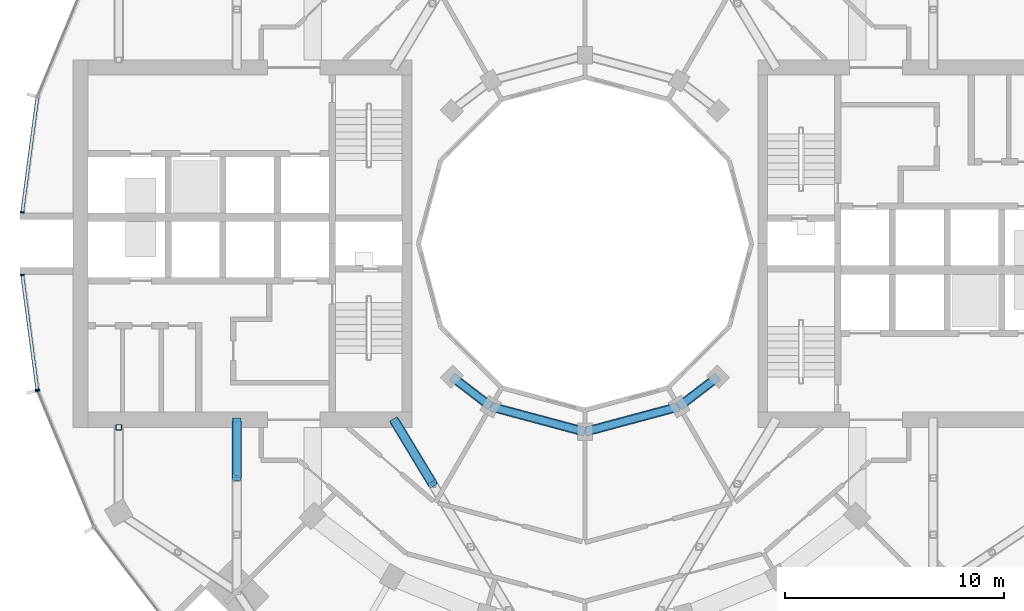
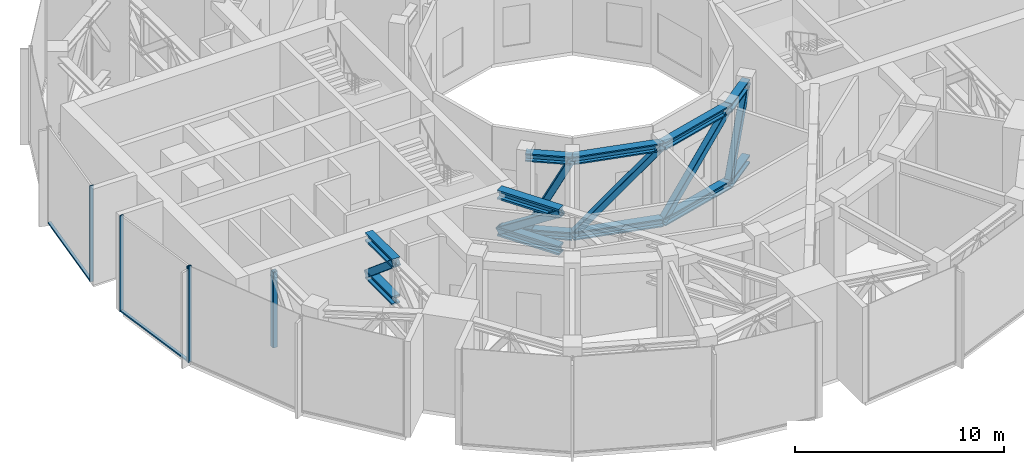
# One storey, part 4 of 18: 25 members, 3 elements without a shape of their own.
"""IFC4 building model written with IfcOpenShell, lengths in metres."""

from ifc_helpers import new_model, si_unit, direction, frame, origin, origin_2d, place, context, subcontext, project, spatial, rectangle, hollow_rectangle, i_section, extrude, material, layer, layer_set, material_profile, profile_set, type_object, element, aggregate, save


model = new_model("IFC4")

# Units and contexts
model_context = context("Model", 3, precision=1e-05, world=origin(), true_north=direction((0.0, 1.0)))
body_context = subcontext(model_context, "Body", "Model", "MODEL_VIEW")
ifc_project = project(units=[si_unit("LENGTHUNIT", "METRE"), si_unit("AREAUNIT", "SQUARE_METRE"), si_unit("VOLUMEUNIT", "CUBIC_METRE"), si_unit("PLANEANGLEUNIT", "RADIAN"), si_unit("MASSUNIT", "GRAM", prefix="KILO")], contexts=[model_context])

# Site, building, storey
site_placement = place(None, origin())
site = spatial("IfcSite", under=ifc_project, at=site_placement, CompositionType="ELEMENT")
building_placement = place(site_placement, origin())
building = spatial("IfcBuilding", under=site, at=building_placement, Name="Torre Brocal", CompositionType="ELEMENT")
storey_placement = place(building_placement, frame((0.0, 0.0, 109.0)))
storey = spatial("IfcBuildingStorey", under=building, at=storey_placement, Name="L25", CompositionType="ELEMENT", Elevation=109.0)

# Member
ifc_material_1 = material(Name="Steel A500 Grade C", Category="steel")
ifc_material_profile_1 = material_profile(ifc_material_1, hollow_rectangle(XDim=0.25390625, YDim=0.25390625, WallThickness=0.01171875, InnerFilletRadius=0.01171875, OuterFilletRadius=0.023681640625, at=origin_2d()), Name="HSS10X10X1/2")
ifc_profile_set_1 = profile_set([ifc_material_profile_1], Name="Steel A500 Grade C")
member_type_1 = type_object("IfcMemberType", Name="BELT 1 POST HSS10X10X1/2", PredefinedType="POST", material=ifc_profile_set_1)
member_1_placement = place(storey_placement, frame((58.69580078125, 66.60009765625, 0.63232421875), z_axis=(0.0, 0.0, 1.0), x_axis=(1.0, 0.0, 0.0)))
element("IfcMember", 1, at=member_1_placement, inside=storey, type_object=member_type_1, Name="Member BT1-P10", PredefinedType="POST", context=body_context, shape_type="SweptSolid", body=[
    extrude(hollow_rectangle(XDim=0.25390625, YDim=0.25390625, WallThickness=0.01171875, InnerFilletRadius=0.01171875, OuterFilletRadius=0.023681640625, at=origin_2d()), origin(), (0.0, 0.0, 1.0), 4.415283203125),
])

# Curtain wall, member
ifc_material_2 = material(Name="Aluminium and glass", Category="aluminium")
ifc_layer_1 = layer(ifc_material_2, 0.199951171875)
ifc_layer_set_1 = layer_set([ifc_layer_1], Name="Aluminium and glass")
curtain_wall_type_1 = type_object("IfcCurtainWallType", Name="CW-1 CURTAIN WALL 5600 HIGH", PredefinedType="NOTDEFINED", material=ifc_layer_set_1)
curtain_wall_1_placement = place(storey_placement, origin())
curtain_wall_1 = element("IfcCurtainWall", 2, at=curtain_wall_1_placement, inside=storey, type_object=curtain_wall_type_1, Name="CW-1 RUN 14", PredefinedType="NOTDEFINED")
ifc_material_3 = material(Name="Aluminium, dark anodised", Category="aluminium")
ifc_material_profile_2 = material_profile(ifc_material_3, rectangle(XDim=0.199951171875, YDim=0.06005859375, at=origin_2d()), Name="CW-1 MULLION 60X200")
ifc_profile_set_2 = profile_set([ifc_material_profile_2], Name="Aluminium, dark anodised")
member_type_2 = type_object("IfcMemberType", Name="CW-1 MULLION 60X200", PredefinedType="MULLION", material=ifc_profile_set_2)
member_2_placement = place(storey_placement, frame((54.994873046875, 68.26904296875, 0.0), z_axis=(0.0, 0.0, 1.0), x_axis=(0.923879532525, 0.382683432333, 0.0)))
member_2 = element("IfcMember", 3, at=member_2_placement, type_object=member_type_2, Name="CW1-2 mullion 1", PredefinedType="MULLION", context=body_context, shape_type="SweptSolid", body=[
    extrude(rectangle(XDim=0.199951171875, YDim=0.06005859375, at=origin_2d()), origin(), (0.0, 0.0, 1.0), 5.60009765625),
])
aggregate(curtain_wall_1, [member_2])

ifc_material_4 = material(Name="Aluminium and glass", Category="aluminium")
ifc_layer_2 = layer(ifc_material_4, 0.199951171875)
ifc_layer_set_2 = layer_set([ifc_layer_2], Name="Aluminium and glass")
curtain_wall_type_2 = type_object("IfcCurtainWallType", Name="CW-1B CURTAIN WALL 5600 HIGH", PredefinedType="NOTDEFINED", material=ifc_layer_set_2)
curtain_wall_2_placement = place(storey_placement, origin())
curtain_wall_2 = element("IfcCurtainWall", 4, at=curtain_wall_2_placement, inside=storey, type_object=curtain_wall_type_2, Name="CW-1B RUN 12", PredefinedType="NOTDEFINED")
ifc_material_5 = material(Name="Aluminium, dark anodised", Category="aluminium")
ifc_material_profile_3 = material_profile(ifc_material_5, rectangle(XDim=0.199951171875, YDim=0.06005859375, at=origin_2d()), Name="CW-1B MULLION 60X200")
ifc_profile_set_3 = profile_set([ifc_material_profile_3], Name="Aluminium, dark anodised")
member_type_3 = type_object("IfcMemberType", Name="CW-1B MULLION 60X200", PredefinedType="MULLION", material=ifc_profile_set_3)
member_3_placement = place(storey_placement, frame((54.2890625, 76.4296875, 0.0), z_axis=(0.0, 0.0, 1.0), x_axis=(0.991444861374, -0.13052619222, 0.0)))
member_3 = element("IfcMember", 5, at=member_3_placement, type_object=member_type_3, Name="CW1B-2 mullion 2", PredefinedType="MULLION", context=body_context, shape_type="SweptSolid", body=[
    extrude(rectangle(XDim=0.199951171875, YDim=0.06005859375, at=origin_2d()), origin(), (0.0, 0.0, 1.0), 5.60009765625),
])

# Curtain wall, members
curtain_wall_3_placement = place(storey_placement, origin())
curtain_wall_3 = element("IfcCurtainWall", 6, at=curtain_wall_3_placement, inside=storey, type_object=curtain_wall_type_2, Name="CW-1B RUN 13", PredefinedType="NOTDEFINED")
member_4_placement = place(storey_placement, frame((54.2890625, 73.5703125, 0.0), z_axis=(0.0, 0.0, 1.0), x_axis=(0.991444861374, 0.13052619222, 0.0)))
member_4 = element("IfcMember", 7, at=member_4_placement, type_object=member_type_3, Name="CW1B-2 mullion 1", PredefinedType="MULLION", context=body_context, shape_type="SweptSolid", body=[
    extrude(rectangle(XDim=0.199951171875, YDim=0.06005859375, at=origin_2d()), origin(), (0.0, 0.0, 1.0), 5.60009765625),
])
member_5_placement = place(storey_placement, frame((54.9794921875, 68.32666015625, 0.0), z_axis=(0.0, 0.0, 1.0), x_axis=(0.991444861374, 0.13052619222, 0.0)))
member_5 = element("IfcMember", 8, at=member_5_placement, type_object=member_type_3, Name="CW1B-2 mullion 2", PredefinedType="MULLION", context=body_context, shape_type="SweptSolid", body=[
    extrude(rectangle(XDim=0.199951171875, YDim=0.06005859375, at=origin_2d()), origin(), (0.0, 0.0, 1.0), 5.60009765625),
])

# Member
ifc_material_6 = material(Name="Aluminium, dark anodised", Category="aluminium")
ifc_material_profile_4 = material_profile(ifc_material_6, rectangle(XDim=0.159912109375, YDim=0.080078125, at=origin_2d()), Name="CW-1B TRANSOM 160X80")
ifc_profile_set_4 = profile_set([ifc_material_profile_4], Name="Aluminium, dark anodised")
member_type_4 = type_object("IfcMemberType", Name="CW-1B TRANSOM 160X80", PredefinedType="USERDEFINED", material=ifc_profile_set_4)
member_6_placement = place(storey_placement, frame((54.9755859375, 81.643798828125, 0.0400390625), z_axis=(-0.130542677827, -0.991442690863, 0.0), x_axis=(0.991442690863, -0.130542677827, 0.0)))
member_6 = element("IfcMember", 9, at=member_6_placement, type_object=member_type_4, Name="CW1B-2 transom 1.1", ObjectType="TRANSOM", PredefinedType="USERDEFINED", context=body_context, shape_type="SweptSolid", body=[
    extrude(rectangle(XDim=0.159912109375, YDim=0.080078125, at=origin_2d()), origin(), (0.0, 0.0, 1.0), 5.22900390625),
])

aggregate(curtain_wall_2, [member_3, member_6])

member_7_placement = place(storey_placement, frame((54.29296875, 73.54052734375, 0.0400390625), z_axis=(0.130542677827, -0.991442690863, 0.0), x_axis=(0.991442690863, 0.130542677827, 0.0)))
member_7 = element("IfcMember", 10, at=member_7_placement, type_object=member_type_4, Name="CW1B-2 transom 1.1", ObjectType="TRANSOM", PredefinedType="USERDEFINED", context=body_context, shape_type="SweptSolid", body=[
    extrude(rectangle(XDim=0.159912109375, YDim=0.080078125, at=origin_2d()), origin(), (0.0, 0.0, 1.0), 5.22900390625),
])

aggregate(curtain_wall_3, [member_4, member_5, member_7])

# Members
ifc_material_7 = material(Name="Steel A992", Category="steel")
ifc_material_profile_5 = material_profile(ifc_material_7, i_section(OverallWidth=0.421630859375, OverallDepth=0.46484375, WebThickness=0.044921875, FlangeThickness=0.072509765625, at=origin_2d()), Name="W14X398")
ifc_profile_set_5 = profile_set([ifc_material_profile_5], Name="Steel A992")
member_type_5 = type_object("IfcMemberType", Name="TRUSS BOTTOM CHORD W14X398", PredefinedType="CHORD", material=ifc_profile_set_5)
member_8_placement = place(storey_placement, frame((73.9189453125, 68.9189453125, 0.63232421875), z_axis=(0.793334976885, -0.608785359918, 0.0), x_axis=(0.608785359918, 0.793334976885, 0.0)))
element("IfcMember", 11, at=member_8_placement, inside=storey, type_object=member_type_5, Name="Member BT1-C82", PredefinedType="CHORD", context=body_context, shape_type="SweptSolid", body=[
    extrude(i_section(OverallWidth=0.421630859375, OverallDepth=0.46484375, WebThickness=0.044921875, FlangeThickness=0.072509765625, at=origin_2d()), origin(), (0.0, 0.0, 1.0), 2.244873046875),
])
for number, where, z_axis, x_axis, name in (
    (12, (75.699951171875, 67.55224609375, 0.63232421875), (0.965917450527, -0.25885030185, 0.0), (0.25885030185, 0.965917450527, 0.0), "Member BT1-C84"),
    (13, (80.0, 66.39990234375, 0.63232421875), (0.965917450527, 0.25885030185, 0.0), (-0.25885030185, 0.965917450527, 0.0), "Member BT1-C86"),
):
    element("IfcMember", number, at=place(storey_placement, frame(where, z_axis=z_axis, x_axis=x_axis)), inside=storey, type_object=member_type_5, Name=name, PredefinedType="CHORD", context=body_context, shape_type="SweptSolid", body=[
        extrude(i_section(OverallWidth=0.421630859375, OverallDepth=0.46484375, WebThickness=0.044921875, FlangeThickness=0.072509765625, at=origin_2d()), origin(), (0.0, 0.0, 1.0), 4.45166015625),
    ])
member_9_placement = place(storey_placement, frame((84.300048828125, 67.55224609375, 0.63232421875), z_axis=(0.793334976885, 0.608785359918, 0.0), x_axis=(-0.608785359918, 0.793334976885, 0.0)))
element("IfcMember", 14, at=member_9_placement, inside=storey, type_object=member_type_5, Name="Member BT1-C88", PredefinedType="CHORD", context=body_context, shape_type="SweptSolid", body=[
    extrude(i_section(OverallWidth=0.421630859375, OverallDepth=0.46484375, WebThickness=0.044921875, FlangeThickness=0.072509765625, at=origin_2d()), origin(), (0.0, 0.0, 1.0), 2.244873046875),
])
ifc_material_8 = material(Name="Steel A992", Category="steel")
ifc_material_profile_6 = material_profile(ifc_material_8, i_section(OverallWidth=0.431884765625, OverallDepth=0.497802734375, WebThickness=0.0556640625, FlangeThickness=0.0888671875, at=origin_2d()), Name="W14X500")
ifc_profile_set_6 = profile_set([ifc_material_profile_6], Name="Steel A992")
member_type_6 = type_object("IfcMemberType", Name="TRUSS BOTTOM CHORD W14X500", PredefinedType="CHORD", material=ifc_profile_set_6)
member_10_placement = place(storey_placement, frame((64.090087890625, 66.89990234375, 2.848876953125), z_axis=(0.0, -1.0, 0.0), x_axis=(1.0, 0.0, 0.0)))
element("IfcMember", 15, at=member_10_placement, inside=storey, type_object=member_type_6, Name="Member OT1-C34", PredefinedType="CHORD", context=body_context, shape_type="SweptSolid", body=[
    extrude(i_section(OverallWidth=0.431884765625, OverallDepth=0.497802734375, WebThickness=0.0556640625, FlangeThickness=0.0888671875, at=origin_2d()), origin(), (0.0, 0.0, 1.0), 2.603271484375),
])
ifc_material_9 = material(Name="Steel A992", Category="steel")
ifc_material_profile_7 = material_profile(ifc_material_9, i_section(OverallWidth=0.44189453125, OverallDepth=0.531005859375, WebThickness=0.06591796875, FlangeThickness=0.105712890625, at=origin_2d()), Name="W14X605")
ifc_profile_set_7 = profile_set([ifc_material_profile_7], Name="Steel A992")
member_type_7 = type_object("IfcMemberType", Name="TRUSS BOTTOM CHORD W14X605", PredefinedType="CHORD", material=ifc_profile_set_7)
member_11_placement = place(storey_placement, frame((71.300048828125, 66.89990234375, 2.865478515625), z_axis=(0.517128928912, -0.855907513042, 0.0), x_axis=(0.855907513042, 0.517128928912, 0.0)))
element("IfcMember", 16, at=member_11_placement, inside=storey, type_object=member_type_7, Name="Member OT1-C50", PredefinedType="CHORD", context=body_context, shape_type="SweptSolid", body=[
    extrude(i_section(OverallWidth=0.44189453125, OverallDepth=0.531005859375, WebThickness=0.06591796875, FlangeThickness=0.105712890625, at=origin_2d()), origin(), (0.0, 0.0, 1.0), 3.36474609375),
])
ifc_material_10 = material(Name="Steel A500 Grade C", Category="steel")
ifc_material_profile_8 = material_profile(ifc_material_10, hollow_rectangle(XDim=0.355712890625, YDim=0.355712890625, WallThickness=0.014892578125, InnerFilletRadius=0.014892578125, OuterFilletRadius=0.029541015625, at=origin_2d()), Name="HSS14X14X5/8")
ifc_profile_set_8 = profile_set([ifc_material_profile_8], Name="Steel A500 Grade C")
member_type_8 = type_object("IfcMemberType", Name="TRUSS DIAGONAL HSS14X14X5/8", PredefinedType="BRACE", material=ifc_profile_set_8)
member_12_placement = place(storey_placement, frame((73.9189453125, 68.9189453125, 0.63232421875), z_axis=(0.359563901376, -0.275920318012, 0.891393167427), x_axis=(0.608785359918, 0.793334976885, 0.0)))
element("IfcMember", 17, at=member_12_placement, inside=storey, type_object=member_type_8, Name="Member BT1-D41", PredefinedType="BRACE", context=body_context, shape_type="SweptSolid", body=[
    extrude(hollow_rectangle(XDim=0.355712890625, YDim=0.355712890625, WallThickness=0.014892578125, InnerFilletRadius=0.014892578125, OuterFilletRadius=0.029541015625, at=origin_2d()), origin(), (0.0, 0.0, 1.0), 4.953125),
])
for number, where, z_axis, x_axis, name in (
    (18, (75.699951171875, 67.55224609375, 0.63232421875), (0.685811973326, -0.183786550508, 0.704190628377), (0.25885030185, 0.965917450527, 0.0), "Member BT1-D42"),
    (19, (80.0, 66.39990234375, 0.63232421875), (0.685811973326, 0.183786550508, 0.704190628377), (-0.25885030185, 0.965917450527, 0.0), "Member BT1-D43"),
):
    element("IfcMember", number, at=place(storey_placement, frame(where, z_axis=z_axis, x_axis=x_axis)), inside=storey, type_object=member_type_8, Name=name, PredefinedType="BRACE", context=body_context, shape_type="SweptSolid", body=[
        extrude(hollow_rectangle(XDim=0.355712890625, YDim=0.355712890625, WallThickness=0.014892578125, InnerFilletRadius=0.014892578125, OuterFilletRadius=0.029541015625, at=origin_2d()), origin(), (0.0, 0.0, 1.0), 6.27001953125),
    ])
member_13_placement = place(storey_placement, frame((84.300048828125, 67.55224609375, 0.63232421875), z_axis=(0.359563901376, 0.275920318012, 0.891393167427), x_axis=(-0.608785359918, 0.793334976885, 0.0)))
element("IfcMember", 20, at=member_13_placement, inside=storey, type_object=member_type_8, Name="Member BT1-D44", PredefinedType="BRACE", context=body_context, shape_type="SweptSolid", body=[
    extrude(hollow_rectangle(XDim=0.355712890625, YDim=0.355712890625, WallThickness=0.014892578125, InnerFilletRadius=0.014892578125, OuterFilletRadius=0.029541015625, at=origin_2d()), origin(), (0.0, 0.0, 1.0), 4.953125),
])
ifc_material_11 = material(Name="Steel A500 Grade C", Category="steel")
ifc_material_profile_9 = material_profile(ifc_material_11, hollow_rectangle(XDim=0.406494140625, YDim=0.406494140625, WallThickness=0.017578125, InnerFilletRadius=0.017578125, OuterFilletRadius=0.035400390625, at=origin_2d()), Name="HSS16X16X3/4")
ifc_profile_set_9 = profile_set([ifc_material_profile_9], Name="Steel A500 Grade C")
member_type_9 = type_object("IfcMemberType", Name="TRUSS DIAGONAL HSS16X16X3/4", PredefinedType="BRACE", material=ifc_profile_set_9)
member_14_placement = place(storey_placement, frame((64.090087890625, 66.89990234375, 2.848876953125), z_axis=(0.0, -0.766374156466, 0.642394467832), x_axis=(1.0, 0.0, 0.0)))
element("IfcMember", 21, at=member_14_placement, inside=storey, type_object=member_type_9, Name="Member OT1-D17", PredefinedType="BRACE", context=body_context, shape_type="SweptSolid", body=[
    extrude(hollow_rectangle(XDim=0.406494140625, YDim=0.406494140625, WallThickness=0.017578125, InnerFilletRadius=0.017578125, OuterFilletRadius=0.035400390625, at=origin_2d()), origin(), (0.0, 0.0, 1.0), 3.39697265625),
])
member_15_placement = place(storey_placement, frame((71.300048828125, 66.89990234375, 2.865478515625), z_axis=(0.435812440092, -0.72131942519, 0.538298991179), x_axis=(0.855907513042, 0.517128928912, 0.0)))
element("IfcMember", 22, at=member_15_placement, inside=storey, type_object=member_type_9, Name="Member OT1-D25", PredefinedType="BRACE", context=body_context, shape_type="SweptSolid", body=[
    extrude(hollow_rectangle(XDim=0.406494140625, YDim=0.406494140625, WallThickness=0.017578125, InnerFilletRadius=0.017578125, OuterFilletRadius=0.035400390625, at=origin_2d()), origin(), (0.0, 0.0, 1.0), 3.992431640625),
])
ifc_material_12 = material(Name="Steel A992", Category="steel")
ifc_material_profile_10 = material_profile(ifc_material_12, i_section(OverallWidth=0.421630859375, OverallDepth=0.46484375, WebThickness=0.044921875, FlangeThickness=0.072509765625, at=origin_2d()), Name="W14X398")
ifc_profile_set_10 = profile_set([ifc_material_profile_10], Name="Steel A992")
member_type_10 = type_object("IfcMemberType", Name="TRUSS TOP CHORD W14X398", PredefinedType="CHORD", material=ifc_profile_set_10)
member_16_placement = place(storey_placement, frame((73.9189453125, 68.9189453125, 5.047607421875), z_axis=(0.793334976885, -0.608785359918, 0.0), x_axis=(0.608785359918, 0.793334976885, 0.0)))
element("IfcMember", 23, at=member_16_placement, inside=storey, type_object=member_type_10, Name="Member BT1-C81", PredefinedType="CHORD", context=body_context, shape_type="SweptSolid", body=[
    extrude(i_section(OverallWidth=0.421630859375, OverallDepth=0.46484375, WebThickness=0.044921875, FlangeThickness=0.072509765625, at=origin_2d()), origin(), (0.0, 0.0, 1.0), 2.244873046875),
])
for number, where, z_axis, x_axis, name in (
    (24, (75.699951171875, 67.55224609375, 5.047607421875), (0.965917450527, -0.25885030185, 0.0), (0.25885030185, 0.965917450527, 0.0), "Member BT1-C83"),
    (25, (80.0, 66.39990234375, 5.047607421875), (0.965917450527, 0.25885030185, 0.0), (-0.25885030185, 0.965917450527, 0.0), "Member BT1-C85"),
):
    element("IfcMember", number, at=place(storey_placement, frame(where, z_axis=z_axis, x_axis=x_axis)), inside=storey, type_object=member_type_10, Name=name, PredefinedType="CHORD", context=body_context, shape_type="SweptSolid", body=[
        extrude(i_section(OverallWidth=0.421630859375, OverallDepth=0.46484375, WebThickness=0.044921875, FlangeThickness=0.072509765625, at=origin_2d()), origin(), (0.0, 0.0, 1.0), 4.45166015625),
    ])
member_17_placement = place(storey_placement, frame((84.300048828125, 67.55224609375, 5.047607421875), z_axis=(0.793334976885, 0.608785359918, 0.0), x_axis=(-0.608785359918, 0.793334976885, 0.0)))
element("IfcMember", 26, at=member_17_placement, inside=storey, type_object=member_type_10, Name="Member BT1-C87", PredefinedType="CHORD", context=body_context, shape_type="SweptSolid", body=[
    extrude(i_section(OverallWidth=0.421630859375, OverallDepth=0.46484375, WebThickness=0.044921875, FlangeThickness=0.072509765625, at=origin_2d()), origin(), (0.0, 0.0, 1.0), 2.244873046875),
])
ifc_material_13 = material(Name="Steel A992", Category="steel")
ifc_material_profile_11 = material_profile(ifc_material_13, i_section(OverallWidth=0.431884765625, OverallDepth=0.497802734375, WebThickness=0.0556640625, FlangeThickness=0.0888671875, at=origin_2d()), Name="W14X500")
ifc_profile_set_11 = profile_set([ifc_material_profile_11], Name="Steel A992")
member_type_11 = type_object("IfcMemberType", Name="TRUSS TOP CHORD W14X500", PredefinedType="CHORD", material=ifc_profile_set_11)
member_18_placement = place(storey_placement, frame((64.090087890625, 66.89990234375, 5.031005859375), z_axis=(0.0, -1.0, 0.0), x_axis=(1.0, 0.0, 0.0)))
element("IfcMember", 27, at=member_18_placement, inside=storey, type_object=member_type_11, Name="Member OT1-C33", PredefinedType="CHORD", context=body_context, shape_type="SweptSolid", body=[
    extrude(i_section(OverallWidth=0.431884765625, OverallDepth=0.497802734375, WebThickness=0.0556640625, FlangeThickness=0.0888671875, at=origin_2d()), origin(), (0.0, 0.0, 1.0), 2.603271484375),
])
ifc_material_14 = material(Name="Steel A992", Category="steel")
ifc_material_profile_12 = material_profile(ifc_material_14, i_section(OverallWidth=0.44189453125, OverallDepth=0.531005859375, WebThickness=0.06591796875, FlangeThickness=0.105712890625, at=origin_2d()), Name="W14X605")
ifc_profile_set_12 = profile_set([ifc_material_profile_12], Name="Steel A992")
member_type_12 = type_object("IfcMemberType", Name="TRUSS TOP CHORD W14X605", PredefinedType="CHORD", material=ifc_profile_set_12)
member_19_placement = place(storey_placement, frame((71.300048828125, 66.89990234375, 5.0146484375), z_axis=(0.517128928912, -0.855907513042, 0.0), x_axis=(0.855907513042, 0.517128928912, 0.0)))
element("IfcMember", 28, at=member_19_placement, inside=storey, type_object=member_type_12, Name="Member OT1-C49", PredefinedType="CHORD", context=body_context, shape_type="SweptSolid", body=[
    extrude(i_section(OverallWidth=0.44189453125, OverallDepth=0.531005859375, WebThickness=0.06591796875, FlangeThickness=0.105712890625, at=origin_2d()), origin(), (0.0, 0.0, 1.0), 3.36474609375),
])

save(model, "model.ifc")
